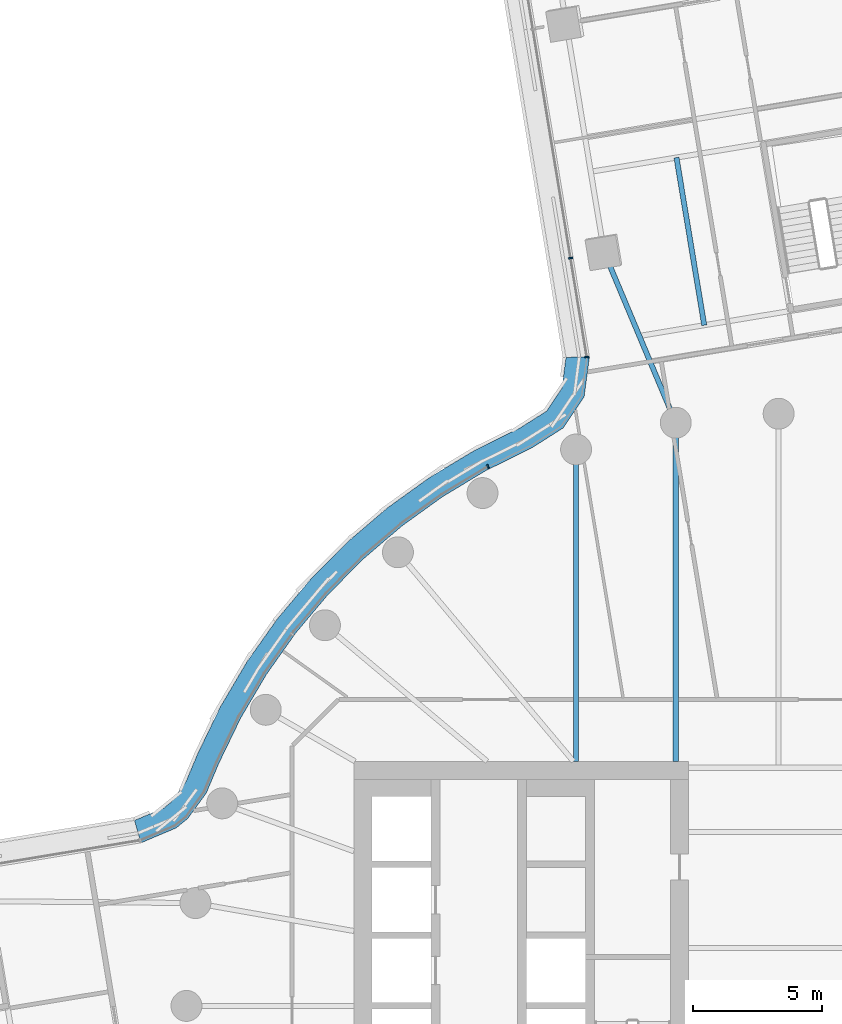
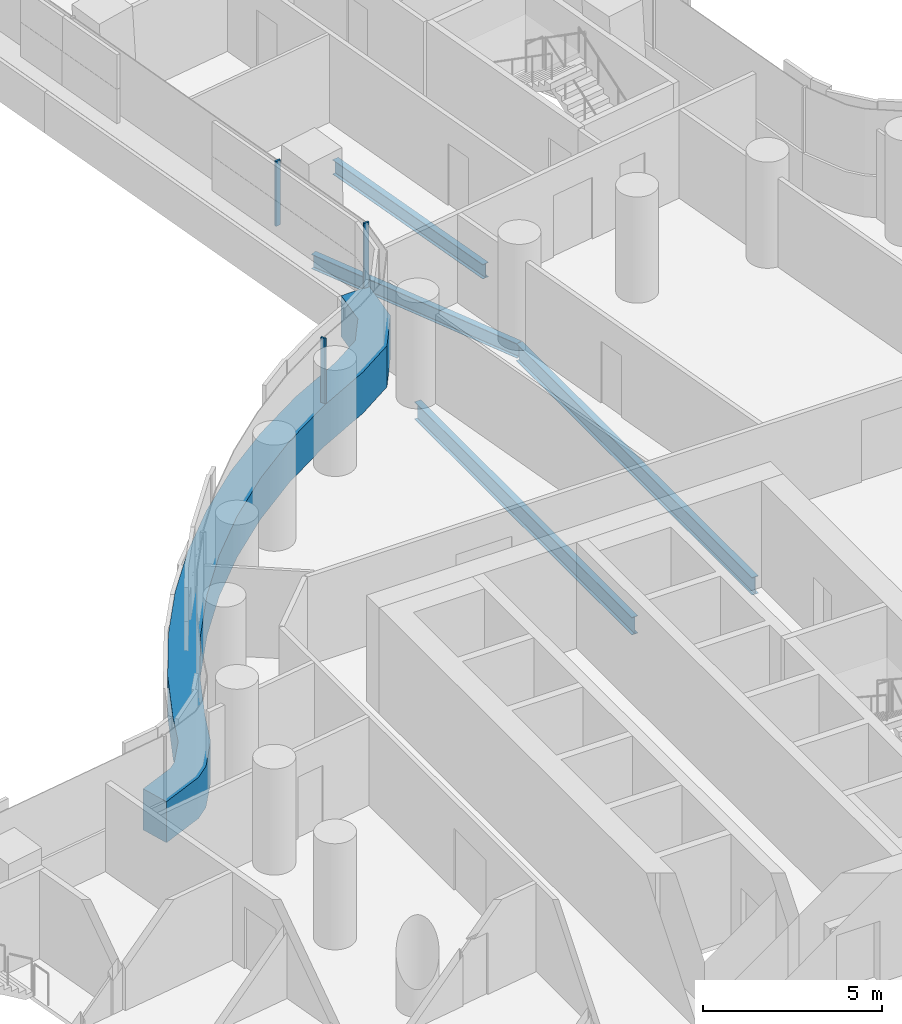
# One storey, part 15 of 32: 4 beams, 4 members, 2 elements without a shape of their own.
"""IFC4 building model written with IfcOpenShell, lengths in metres."""

from ifc_helpers import new_model, si_unit, direction, frame, origin, origin_2d, place, context, subcontext, project, spatial, polyline, rectangle, i_section, outline, extrude, material, layer, layer_set, material_profile, profile_set, type_object, element, aggregate, save


model = new_model("IFC4")

# Units and contexts
model_context = context("Model", 3, precision=1e-05, world=origin(), true_north=direction((0.0, 1.0)))
body_context = subcontext(model_context, "Body", "Model", "MODEL_VIEW")
ifc_project = project(units=[si_unit("LENGTHUNIT", "METRE"), si_unit("AREAUNIT", "SQUARE_METRE"), si_unit("VOLUMEUNIT", "CUBIC_METRE"), si_unit("PLANEANGLEUNIT", "RADIAN"), si_unit("MASSUNIT", "GRAM", prefix="KILO")], contexts=[model_context])

# Site, building, storey
site_placement = place(None, origin())
site = spatial("IfcSite", under=ifc_project, at=site_placement, CompositionType="ELEMENT")
building_placement = place(site_placement, origin())
building = spatial("IfcBuilding", under=site, at=building_placement, Name="Tamarind Cross Interchange Tower", CompositionType="ELEMENT")
storey_placement = place(building_placement, frame((0.0, 0.0, 67.75)))
storey = spatial("IfcBuildingStorey", under=building, at=storey_placement, Name="L15", CompositionType="ELEMENT", Elevation=67.75)

# Beams
ifc_material_1 = material(Name="Steel Q355B", Category="steel")
ifc_material_profile_1 = material_profile(ifc_material_1, i_section(OverallWidth=0.198974609375, OverallDepth=0.49609375, WebThickness=0.009033203125, FlangeThickness=0.013916015625, FilletRadius=0.012939453125, at=origin_2d()), Name="HN 496x199x9x14")
ifc_profile_set_1 = profile_set([ifc_material_profile_1], Name="Steel Q355B")
beam_type_1 = type_object("IfcBeamType", Name="Composite beam HN 496x199x9x14 Q355B", PredefinedType="BEAM", material=ifc_profile_set_1)
beam_1_placement = place(storey_placement, frame((-6.7822265625, 29.289794921875, -0.387939453125), z_axis=(0.387218650611, -0.921987915658, 0.0), x_axis=(0.921987915658, 0.387218650611, 0.0)))
element("IfcBeam", 1, at=beam_1_placement, inside=storey, type_object=beam_type_1, Name="Beam N-linkep", PredefinedType="BEAM", context=body_context, shape_type="SweptSolid", body=[
    extrude(i_section(OverallWidth=0.198974609375, OverallDepth=0.49609375, WebThickness=0.009033203125, FlangeThickness=0.013916015625, FilletRadius=0.012939453125, at=origin_2d()), origin(), (0.0, 0.0, 1.0), 7.200927734375),
])
beam_2_placement = place(storey_placement, frame((-2.888916015625, 26.437744140625, -0.387939453125), z_axis=(-0.163355130843, 0.986567332333, 0.0), x_axis=(-0.986567332333, -0.163355130843, 0.0)))
element("IfcBeam", 2, at=beam_2_placement, inside=storey, type_object=beam_type_1, Name="Beam N-stripp", PredefinedType="BEAM", context=body_context, shape_type="SweptSolid", body=[
    extrude(i_section(OverallWidth=0.198974609375, OverallDepth=0.49609375, WebThickness=0.009033203125, FlangeThickness=0.013916015625, FilletRadius=0.012939453125, at=origin_2d()), origin(), (0.0, 0.0, 1.0), 6.599853515625),
])
ifc_material_profile_2 = material_profile(ifc_material_1, i_section(OverallWidth=0.198974609375, OverallDepth=0.595947265625, WebThickness=0.010009765625, FlangeThickness=0.014892578125, FilletRadius=0.012939453125, at=origin_2d()), Name="HN 596x199x10x15")
ifc_profile_set_2 = profile_set([ifc_material_profile_2], Name="Steel Q355B")
beam_type_2 = type_object("IfcBeamType", Name="Composite beam HN 596x199x10x15 Q355B", PredefinedType="BEAM", material=ifc_profile_set_2)
beam_3_placement = place(storey_placement, frame((-3.993896484375, 22.650634765625, -0.43798828125), z_axis=(0.0, -1.0, 0.0), x_axis=(1.0, 0.0, 0.0)))
element("IfcBeam", 3, at=beam_3_placement, inside=storey, type_object=beam_type_2, Name="Beam HH10", PredefinedType="BEAM", context=body_context, shape_type="SweptSolid", body=[
    extrude(i_section(OverallWidth=0.198974609375, OverallDepth=0.595947265625, WebThickness=0.010009765625, FlangeThickness=0.014892578125, FilletRadius=0.012939453125, at=origin_2d()), origin(), (0.0, 0.0, 1.0), 13.150634765625),
])
beam_4_placement = place(storey_placement, frame((-7.866455078125, 21.613037109375, -0.43798828125), z_axis=(0.0, -1.0, 0.0), x_axis=(1.0, 0.0, 0.0)))
element("IfcBeam", 4, at=beam_4_placement, inside=storey, type_object=beam_type_2, Name="Beam HH11", PredefinedType="BEAM", context=body_context, shape_type="SweptSolid", body=[
    extrude(i_section(OverallWidth=0.198974609375, OverallDepth=0.595947265625, WebThickness=0.010009765625, FlangeThickness=0.014892578125, FilletRadius=0.012939453125, at=origin_2d()), origin(), (0.0, 0.0, 1.0), 12.113037109375),
])

# Curtain wall, member
ifc_material_2 = material(Name="Aluminium 6063-T6", Category="aluminium")
ifc_layer = layer(ifc_material_2, 0.159912109375)
ifc_layer_set = layer_set([ifc_layer], Name="Aluminium 6063-T6")
curtain_wall_type = type_object("IfcCurtainWallType", Name="Office curtain wall, 9.0 m bays", PredefinedType="NOTDEFINED", material=ifc_layer_set)
curtain_wall_1_placement = place(storey_placement, origin())
curtain_wall_1 = element("IfcCurtainWall", 5, at=curtain_wall_1_placement, inside=storey, type_object=curtain_wall_type, Name="CWS-L15-02", PredefinedType="NOTDEFINED")
ifc_material_3 = material(Name="Aluminium and insulated spandrel panel", Category="aluminium")
member_type_1 = type_object("IfcMemberType", Name="Floor-edge blade transom", PredefinedType="USERDEFINED", material=ifc_material_3)
member_1_placement = place(storey_placement, origin())
member_1 = element("IfcMember", 6, at=member_1_placement, type_object=member_type_1, Name="CWT-L15-02", ObjectType="TRANSOM", PredefinedType="USERDEFINED", context=body_context, shape_type="SweptSolid", body=[
    extrude(outline(polyline([(-7.347900390625, 25.204345703125), (-7.553955078125, 23.6572265625), (-8.3720703125, 22.442138671875), (-9.586181640625, 21.67138671875), (-11.367431640625, 20.791015625), (-13.045654296875, 19.78125), (-14.634521484375, 18.636474609375), (-16.12353515625, 17.3642578125), (-17.50244140625, 15.973388671875), (-18.76171875, 14.4736328125), (-19.892822265625, 12.874755859375), (-20.88818359375, 11.188232421875), (-21.74267578125, 9.420654296875), (-22.23193359375, 8.26025390625), (-22.95068359375, 7.275634765625), (-23.40478515625, 6.907470703125), (-24.766845703125, 6.3330078125), (-25.0185546875, 7.20361328125), (-23.872314453125, 7.68701171875), (-23.608642578125, 7.901123046875), (-23.0205078125, 8.706298828125), (-22.56298828125, 9.791748046875), (-21.68212890625, 11.613525390625), (-20.64892578125, 13.3642578125), (-19.474853515625, 15.023681640625), (-18.167724609375, 16.580810546875), (-16.736572265625, 18.0244140625), (-15.19091796875, 19.344970703125), (-13.54150390625, 20.533203125), (-11.799560546875, 21.581298828125), (-10.028076171875, 22.456787109375), (-9.013427734375, 23.100830078125), (-8.418212890625, 23.98486328125), (-8.2578125, 25.1904296875), (-7.347900390625, 25.204345703125)])), origin(), (0.0, 0.0, 1.0), 1.39990234375),
])

curtain_wall_2_placement = place(storey_placement, origin())
curtain_wall_2 = element("IfcCurtainWall", 7, at=curtain_wall_2_placement, inside=storey, type_object=curtain_wall_type, Name="CWS-L15-01", PredefinedType="NOTDEFINED")
ifc_material_profile_3 = material_profile(ifc_material_2, rectangle(XDim=0.06005859375, YDim=0.159912109375, at=origin_2d()), Name="Mullion CW1")
ifc_profile_set_3 = profile_set([ifc_material_profile_3], Name="Aluminium 6063-T6")
member_type_2 = type_object("IfcMemberType", Name="Mullion CW1", PredefinedType="MULLION", material=ifc_profile_set_3)
member_2_placement = place(storey_placement, frame((-8.08056640625, 29.045166015625, 1.39990234375), z_axis=(0.0, 0.0, 1.0), x_axis=(0.162163789482, -0.986763854922, 0.0)))
member_2 = element("IfcMember", 8, at=member_2_placement, type_object=member_type_2, Name="CWM-L15-01-02", PredefinedType="MULLION", context=body_context, shape_type="SweptSolid", body=[
    extrude(rectangle(XDim=0.06005859375, YDim=0.159912109375, at=origin_2d()), origin(), (0.0, 0.0, 1.0), 2.210205078125),
])
aggregate(curtain_wall_2, [member_2])

# Member
member_3_placement = place(storey_placement, frame((-7.448974609375, 25.202880859375, 1.39990234375), z_axis=(0.0, 0.0, 1.0), x_axis=(0.015281099723, -0.999883237179, 0.0)))
member_3 = element("IfcMember", 9, at=member_3_placement, type_object=member_type_2, Name="CWM-L15-02-00", PredefinedType="MULLION", context=body_context, shape_type="SweptSolid", body=[
    extrude(rectangle(XDim=0.06005859375, YDim=0.159912109375, at=origin_2d()), origin(), (0.0, 0.0, 1.0), 2.210205078125),
])

member_4_placement = place(storey_placement, frame((-11.284912109375, 20.943359375, 1.39990234375), z_axis=(0.0, 0.0, 1.0), x_axis=(-0.896492548518, -0.443058811505, 0.0)))
member_4 = element("IfcMember", 10, at=member_4_placement, type_object=member_type_2, Name="CWM-L15-02-01", PredefinedType="MULLION", context=body_context, shape_type="SweptSolid", body=[
    extrude(rectangle(XDim=0.06005859375, YDim=0.159912109375, at=origin_2d()), origin(), (0.0, 0.0, 1.0), 2.210205078125),
])

aggregate(curtain_wall_1, [member_3, member_4, member_1])

save(model, "model.ifc")
